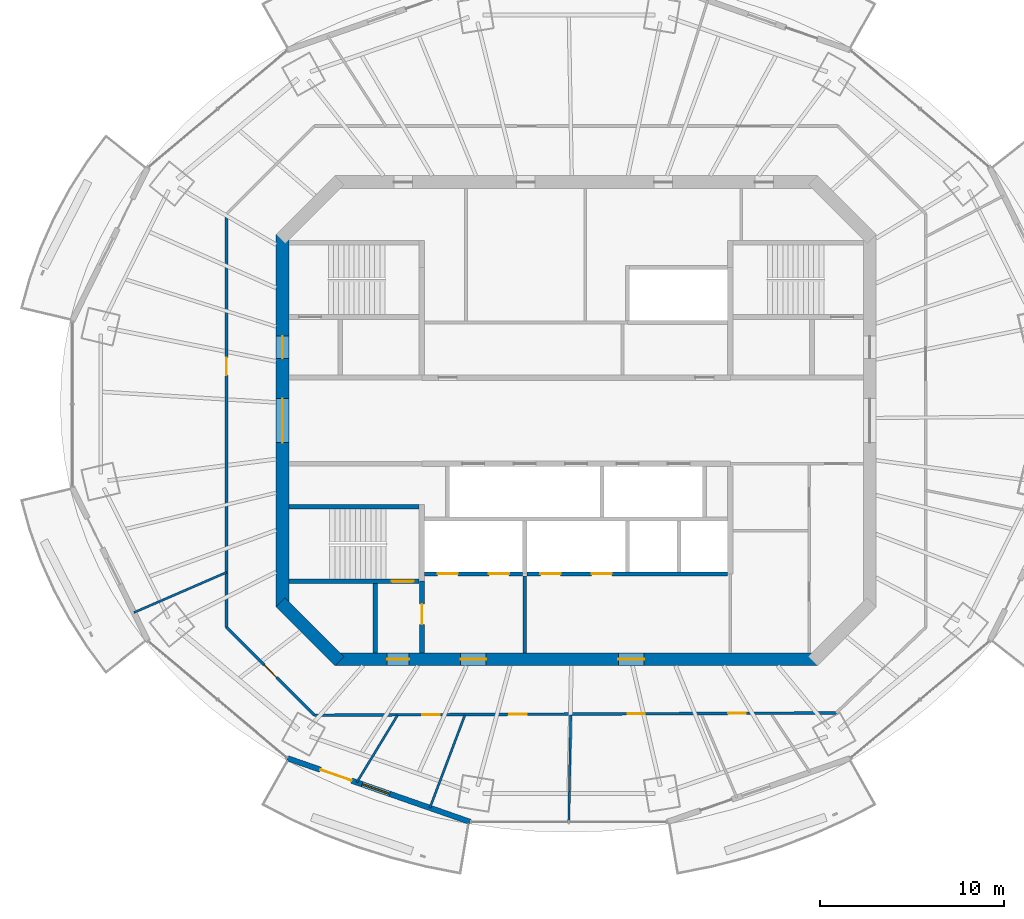
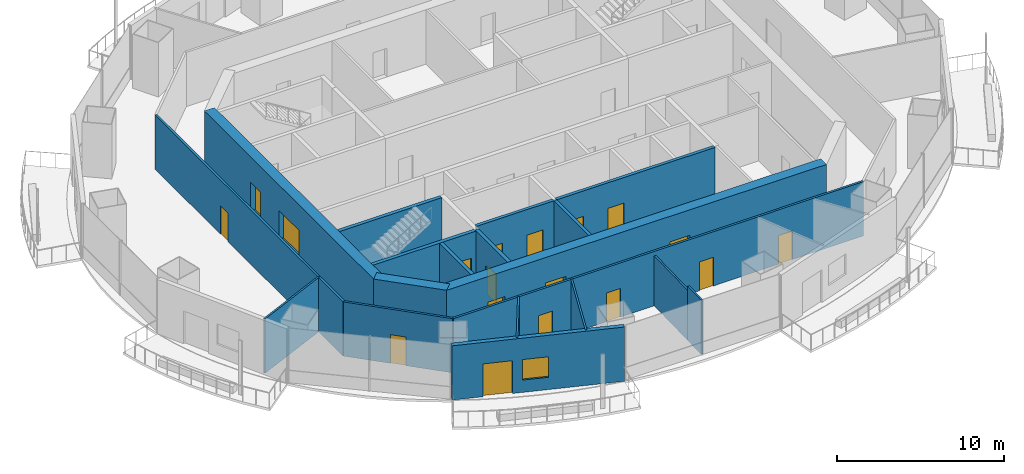
# One storey, part 8 of 16: 19 walls, 18 doors, 1 window, 19 openings.
"""IFC4 building model written with IfcOpenShell, lengths in metres."""

from ifc_helpers import new_model, si_unit, direction, frame, frame_2d, origin, place, context, subcontext, project, spatial, rectangle, extrude, material, layer, layer_set, type_object, element, fill, save


model = new_model("IFC4")

# Units and contexts
model_context = context("Model", 3, precision=1e-05, world=origin(), true_north=direction((0.0, 1.0)))
body_context = subcontext(model_context, "Body", "Model", "MODEL_VIEW")
ifc_project = project(units=[si_unit("LENGTHUNIT", "METRE"), si_unit("AREAUNIT", "SQUARE_METRE"), si_unit("VOLUMEUNIT", "CUBIC_METRE"), si_unit("PLANEANGLEUNIT", "RADIAN"), si_unit("MASSUNIT", "GRAM", prefix="KILO")], contexts=[model_context])

# Site, building, storey
site_placement = place(None, origin())
site = spatial("IfcSite", under=ifc_project, at=site_placement, CompositionType="ELEMENT")
building_placement = place(site_placement, origin())
building = spatial("IfcBuilding", under=site, at=building_placement, Name="Marenthal Gate Tower", CompositionType="ELEMENT")
storey_placement = place(building_placement, frame((0.0, 0.0, 326.0)))
storey = spatial("IfcBuildingStorey", under=building, at=storey_placement, Name="L73", CompositionType="ELEMENT", Elevation=326.0)

# Wall, openings, doors
ifc_material_1 = material(Name="Concrete 60 MPa", Category="concrete")
ifc_layer_1 = layer(ifc_material_1, 0.699951171875)
ifc_layer_set_1 = layer_set([ifc_layer_1], Name="Core shear wall 700")
wall_type_1 = type_object("IfcWallType", Name="Core shear wall 700", PredefinedType="SHEAR", material=ifc_layer_set_1)
wall_1_placement = place(storey_placement, frame((-16.0, 10.14501953125, -0.179931640625), z_axis=(0.0, 0.0, 1.0), x_axis=(0.0, -1.0, 0.0)))
wall_1 = element("IfcWall", 1, at=wall_1_placement, inside=storey, type_object=wall_type_1, Name="Core wall 06", PredefinedType="SHEAR", context=body_context, shape_type="SweptSolid", body=[
    extrude(rectangle(XDim=20.2900390625, YDim=0.699951171875, at=frame_2d((10.14501953125, 0.0))), origin(), (0.0, 0.0, 1.0), 4.14990234375),
])
opening_1_placement = place(wall_1_placement, frame((8.945068359375, 0.0, 0.179931640625)))
opening_1 = element("IfcOpeningElement", 2, at=opening_1_placement, cuts=wall_1, Name="Opening D003.01", PredefinedType="OPENING", context=body_context, shape_type="SweptSolid", body=[
    extrude(rectangle(XDim=2.39990234375, YDim=2.10009765625, at=frame_2d((1.199951171875, 1.050048828125))), frame((0.0, 0.35986328125, 0.0), z_axis=(0.0, -1.0, 0.0), x_axis=(1.0, 0.0, 0.0)), (0.0, 0.0, 1.0), 0.719970703125),
])
opening_2_placement = place(wall_1_placement, frame((5.544921875, 0.0, 0.179931640625)))
opening_2 = element("IfcOpeningElement", 3, at=opening_2_placement, cuts=wall_1, Name="Opening D001.04", PredefinedType="OPENING", context=body_context, shape_type="SweptSolid", body=[
    extrude(rectangle(XDim=1.199951171875, YDim=2.10009765625, at=frame_2d((0.60009765625, 1.050048828125))), frame((0.0, 0.35986328125, 0.0), z_axis=(0.0, -1.0, 0.0), x_axis=(1.0, 0.0, 0.0)), (0.0, 0.0, 1.0), 0.719970703125),
])
ifc_material_2 = material(Name="Steel fire door", Category="steel")
door_type_1 = type_object("IfcDoorType", Name="Double fire door FD 45 2400 x 2100", OperationType="DOUBLE_DOOR_SINGLE_SWING", PredefinedType="DOOR", material=ifc_material_2)
door_1_placement = place(opening_1_placement, origin())
door_1 = element("IfcDoor", 4, at=door_1_placement, inside=storey, type_object=door_type_1, Name="Door D003.01", OperationType="DOUBLE_DOOR_SINGLE_SWING", OverallHeight=2.10009765625, OverallWidth=2.39990234375, PredefinedType="DOOR", context=body_context, shape_type="SweptSolid", body=[
    extrude(rectangle(XDim=2.39990234375, YDim=2.10009765625, at=frame_2d((1.199951171875, 1.050048828125))), frame((0.0, 0.02490234375, 0.0), z_axis=(0.0, -1.0, 0.0), x_axis=(1.0, 0.0, 0.0)), (0.0, 0.0, 1.0), 0.050048828125),
])
fill(opening_1, door_1)
ifc_material_3 = material(Name="Steel fire door", Category="steel")
door_type_2 = type_object("IfcDoorType", Name="Fire door FD 90 1200 x 2100", OperationType="NOTDEFINED", PredefinedType="DOOR", material=ifc_material_3)
door_2_placement = place(opening_2_placement, origin())
door_2 = element("IfcDoor", 5, at=door_2_placement, inside=storey, type_object=door_type_2, Name="Door D001.04", OperationType="SINGLE_SWING_RIGHT", OverallHeight=2.10009765625, OverallWidth=1.199951171875, PredefinedType="DOOR", context=body_context, shape_type="SweptSolid", body=[
    extrude(rectangle(XDim=1.199951171875, YDim=2.10009765625, at=frame_2d((0.60009765625, 1.050048828125))), frame((0.0, 0.02490234375, 0.0), z_axis=(0.0, -1.0, 0.0), x_axis=(1.0, 0.0, 0.0)), (0.0, 0.0, 1.0), 0.050048828125),
])
fill(opening_2, door_2)

# Wall
wall_2_placement = place(storey_placement, frame((-16.1025390625, -9.8974609375, -0.179931640625), z_axis=(0.0, 0.0, 1.0), x_axis=(0.707106781187, -0.707106781187, 0.0)))
element("IfcWall", 6, at=wall_2_placement, inside=storey, type_object=wall_type_1, Name="Core wall 07", PredefinedType="SHEAR", context=body_context, shape_type="SweptSolid", body=[
    extrude(rectangle(XDim=4.53271484375, YDim=0.699951171875, at=frame_2d((2.266357421875, 0.0))), origin(), (0.0, 0.0, 1.0), 4.14990234375),
])

# Wall, openings, doors
wall_3_placement = place(storey_placement, frame((-13.14501953125, -13.0, -0.179931640625), z_axis=(0.0, 0.0, 1.0), x_axis=(1.0, 0.0, 0.0)))
wall_3 = element("IfcWall", 7, at=wall_3_placement, inside=storey, type_object=wall_type_1, Name="Core wall 08", PredefinedType="SHEAR", context=body_context, shape_type="SweptSolid", body=[
    extrude(rectangle(XDim=26.2900390625, YDim=0.699951171875, at=frame_2d((13.14501953125, 0.0))), origin(), (0.0, 0.0, 1.0), 4.14990234375),
])
opening_3_placement = place(wall_3_placement, frame((2.844970703125, 0.0, 0.179931640625)))
opening_3 = element("IfcOpeningElement", 8, at=opening_3_placement, cuts=wall_3, Name="Opening D001.06", PredefinedType="OPENING", context=body_context, shape_type="SweptSolid", body=[
    extrude(rectangle(XDim=1.199951171875, YDim=2.10009765625, at=frame_2d((0.60009765625, 1.050048828125))), frame((0.0, 0.35986328125, 0.0), z_axis=(0.0, -1.0, 0.0), x_axis=(1.0, 0.0, 0.0)), (0.0, 0.0, 1.0), 0.719970703125),
])
opening_4_placement = place(wall_3_placement, frame((6.844970703125, 0.0, 0.179931640625)))
opening_4 = element("IfcOpeningElement", 9, at=opening_4_placement, cuts=wall_3, Name="Opening D004.01", PredefinedType="OPENING", context=body_context, shape_type="SweptSolid", body=[
    extrude(rectangle(XDim=1.39990234375, YDim=2.10009765625, at=frame_2d((0.699951171875, 1.050048828125))), frame((0.0, 0.35986328125, 0.0), z_axis=(0.0, -1.0, 0.0), x_axis=(1.0, 0.0, 0.0)), (0.0, 0.0, 1.0), 0.719970703125),
])
opening_5_placement = place(wall_3_placement, frame((15.445068359375, 0.0, 0.179931640625)))
opening_5 = element("IfcOpeningElement", 10, at=opening_5_placement, cuts=wall_3, Name="Opening D004.02", PredefinedType="OPENING", context=body_context, shape_type="SweptSolid", body=[
    extrude(rectangle(XDim=1.39990234375, YDim=2.10009765625, at=frame_2d((0.699951171875, 1.050048828125))), frame((0.0, 0.35986328125, 0.0), z_axis=(0.0, -1.0, 0.0), x_axis=(1.0, 0.0, 0.0)), (0.0, 0.0, 1.0), 0.719970703125),
])
ifc_material_4 = material(Name="Steel fire door", Category="steel")
door_type_3 = type_object("IfcDoorType", Name="Fire door FD 45 1400 x 2100", OperationType="NOTDEFINED", PredefinedType="DOOR", material=ifc_material_4)
door_3_placement = place(opening_4_placement, origin())
door_3 = element("IfcDoor", 11, at=door_3_placement, inside=storey, type_object=door_type_3, Name="Door D004.01", OperationType="SINGLE_SWING_RIGHT", OverallHeight=2.10009765625, OverallWidth=1.39990234375, PredefinedType="DOOR", context=body_context, shape_type="SweptSolid", body=[
    extrude(rectangle(XDim=1.39990234375, YDim=2.10009765625, at=frame_2d((0.699951171875, 1.050048828125))), frame((0.0, 0.02490234375, 0.0), z_axis=(0.0, -1.0, 0.0), x_axis=(1.0, 0.0, 0.0)), (0.0, 0.0, 1.0), 0.050048828125),
])
fill(opening_4, door_3)
door_4_placement = place(opening_5_placement, origin())
door_4 = element("IfcDoor", 12, at=door_4_placement, inside=storey, type_object=door_type_3, Name="Door D004.02", OperationType="SINGLE_SWING_RIGHT", OverallHeight=2.10009765625, OverallWidth=1.39990234375, PredefinedType="DOOR", context=body_context, shape_type="SweptSolid", body=[
    extrude(rectangle(XDim=1.39990234375, YDim=2.10009765625, at=frame_2d((0.699951171875, 1.050048828125))), frame((0.0, 0.02490234375, 0.0), z_axis=(0.0, -1.0, 0.0), x_axis=(1.0, 0.0, 0.0)), (0.0, 0.0, 1.0), 0.050048828125),
])
fill(opening_5, door_4)
door_5_placement = place(opening_3_placement, origin())
door_5 = element("IfcDoor", 13, at=door_5_placement, inside=storey, type_object=door_type_2, Name="Door D001.06", OperationType="SINGLE_SWING_RIGHT", OverallHeight=2.10009765625, OverallWidth=1.199951171875, PredefinedType="DOOR", context=body_context, shape_type="SweptSolid", body=[
    extrude(rectangle(XDim=1.199951171875, YDim=2.10009765625, at=frame_2d((0.60009765625, 1.050048828125))), frame((0.0, 0.02490234375, 0.0), z_axis=(0.0, -1.0, 0.0), x_axis=(1.0, 0.0, 0.0)), (0.0, 0.0, 1.0), 0.050048828125),
])
fill(opening_3, door_5)

# Wall
ifc_material_5 = material(Name="Gypsum board on steel studs", Category="steel")
ifc_layer_2 = layer(ifc_material_5, 0.199951171875)
ifc_layer_set_2 = layer_set([ifc_layer_2], Name="Fire lobby wall 200")
wall_type_2 = type_object("IfcWallType", Name="Fire lobby wall 200", PredefinedType="PARTITIONING", material=ifc_layer_set_2)
wall_4_placement = place(storey_placement, frame((-2.800048828125, -12.64990234375, 0.0), z_axis=(0.0, 0.0, 1.0), x_axis=(0.0, 1.0, 0.0)))
element("IfcWall", 14, at=wall_4_placement, inside=storey, type_object=wall_type_2, Name="Fire wall 36", PredefinedType="PARTITIONING", context=body_context, shape_type="SweptSolid", body=[
    extrude(rectangle(XDim=4.18994140625, YDim=0.199951171875, at=frame_2d((2.094970703125, 0.0))), origin(), (0.0, 0.0, 1.0), 3.969970703125),
])

# Wall, openings, doors
ifc_material_6 = material(Name="Concrete 40 MPa", Category="concrete")
ifc_layer_3 = layer(ifc_material_6, 0.219970703125)
ifc_layer_set_3 = layer_set([ifc_layer_3], Name="Hoistway wall 220")
wall_type_3 = type_object("IfcWallType", Name="Hoistway wall 220", PredefinedType="STANDARD", material=ifc_layer_set_3)
wall_5_placement = place(storey_placement, frame((-8.25, -8.35009765625, 0.0), z_axis=(0.0, 0.0, 1.0), x_axis=(1.0, 0.0, 0.0)))
wall_5 = element("IfcWall", 15, at=wall_5_placement, inside=storey, type_object=wall_type_3, Name="Hoistway wall 10", PredefinedType="STANDARD", context=body_context, shape_type="SweptSolid", body=[
    extrude(rectangle(XDim=5.340087890625, YDim=0.219970703125, at=frame_2d((2.669921875, 0.0))), origin(), (0.0, 0.0, 1.0), 3.969970703125),
])
opening_6_placement = place(wall_5_placement, frame((0.699951171875, 0.0, 0.0)))
opening_6 = element("IfcOpeningElement", 16, at=opening_6_placement, cuts=wall_5, Name="Opening LD-LF1", PredefinedType="OPENING", context=body_context, shape_type="SweptSolid", body=[
    extrude(rectangle(XDim=1.10009765625, YDim=2.10009765625, at=frame_2d((0.550048828125, 1.050048828125))), frame((0.0, 0.1201171875, 0.0), z_axis=(0.0, -1.0, 0.0), x_axis=(1.0, 0.0, 0.0)), (0.0, 0.0, 1.0), 0.239990234375),
])
opening_7_placement = place(wall_5_placement, frame((3.5, 0.0, 0.0)))
opening_7 = element("IfcOpeningElement", 17, at=opening_7_placement, cuts=wall_5, Name="Opening LD-LF2", PredefinedType="OPENING", context=body_context, shape_type="SweptSolid", body=[
    extrude(rectangle(XDim=1.10009765625, YDim=2.10009765625, at=frame_2d((0.550048828125, 1.050048828125))), frame((0.0, 0.1201171875, 0.0), z_axis=(0.0, -1.0, 0.0), x_axis=(1.0, 0.0, 0.0)), (0.0, 0.0, 1.0), 0.239990234375),
])
ifc_material_7 = material(Name="Stainless steel sliding door", Category="steel")
door_type_4 = type_object("IfcDoorType", Name="Lift landing door FD 90 1100 x 2100", OperationType="DOUBLE_DOOR_SLIDING", PredefinedType="DOOR", material=ifc_material_7)
door_6_placement = place(opening_6_placement, origin())
door_6 = element("IfcDoor", 18, at=door_6_placement, inside=storey, type_object=door_type_4, Name="Lift landing door LF1", OperationType="DOUBLE_DOOR_SLIDING", OverallHeight=2.10009765625, OverallWidth=1.10009765625, PredefinedType="DOOR", context=body_context, shape_type="SweptSolid", body=[
    extrude(rectangle(XDim=1.10009765625, YDim=2.10009765625, at=frame_2d((0.550048828125, 1.050048828125))), frame((0.0, 0.02490234375, 0.0), z_axis=(0.0, -1.0, 0.0), x_axis=(1.0, 0.0, 0.0)), (0.0, 0.0, 1.0), 0.050048828125),
])
fill(opening_6, door_6)
door_7_placement = place(opening_7_placement, origin())
door_7 = element("IfcDoor", 19, at=door_7_placement, inside=storey, type_object=door_type_4, Name="Lift landing door LF2", OperationType="DOUBLE_DOOR_SLIDING", OverallHeight=2.10009765625, OverallWidth=1.10009765625, PredefinedType="DOOR", context=body_context, shape_type="SweptSolid", body=[
    extrude(rectangle(XDim=1.10009765625, YDim=2.10009765625, at=frame_2d((0.550048828125, 1.050048828125))), frame((0.0, 0.02490234375, 0.0), z_axis=(0.0, -1.0, 0.0), x_axis=(1.0, 0.0, 0.0)), (0.0, 0.0, 1.0), 0.050048828125),
])
fill(opening_7, door_7)

wall_6_placement = place(storey_placement, frame((-2.68994140625, -8.35009765625, 0.0), z_axis=(0.0, 0.0, 1.0), x_axis=(1.0, 0.0, 0.0)))
wall_6 = element("IfcWall", 20, at=wall_6_placement, inside=storey, type_object=wall_type_3, Name="Hoistway wall 11", PredefinedType="STANDARD", context=body_context, shape_type="SweptSolid", body=[
    extrude(rectangle(XDim=10.93994140625, YDim=0.219970703125, at=frame_2d((5.469970703125, 0.0))), origin(), (0.0, 0.0, 1.0), 3.969970703125),
])
opening_8_placement = place(wall_6_placement, frame((0.739990234375, 0.0, 0.0)))
opening_8 = element("IfcOpeningElement", 21, at=opening_8_placement, cuts=wall_6, Name="Opening LD-SV1", PredefinedType="OPENING", context=body_context, shape_type="SweptSolid", body=[
    extrude(rectangle(XDim=1.10009765625, YDim=2.10009765625, at=frame_2d((0.550048828125, 1.050048828125))), frame((0.0, 0.1201171875, 0.0), z_axis=(0.0, -1.0, 0.0), x_axis=(1.0, 0.0, 0.0)), (0.0, 0.0, 1.0), 0.239990234375),
])
opening_9_placement = place(wall_6_placement, frame((3.5400390625, 0.0, 0.0)))
opening_9 = element("IfcOpeningElement", 22, at=opening_9_placement, cuts=wall_6, Name="Opening LD-SV2", PredefinedType="OPENING", context=body_context, shape_type="SweptSolid", body=[
    extrude(rectangle(XDim=1.10009765625, YDim=2.10009765625, at=frame_2d((0.550048828125, 1.050048828125))), frame((0.0, 0.1201171875, 0.0), z_axis=(0.0, -1.0, 0.0), x_axis=(1.0, 0.0, 0.0)), (0.0, 0.0, 1.0), 0.239990234375),
])
door_8_placement = place(opening_8_placement, origin())
door_8 = element("IfcDoor", 23, at=door_8_placement, inside=storey, type_object=door_type_4, Name="Lift landing door SV1", OperationType="DOUBLE_DOOR_SLIDING", OverallHeight=2.10009765625, OverallWidth=1.10009765625, PredefinedType="DOOR", context=body_context, shape_type="SweptSolid", body=[
    extrude(rectangle(XDim=1.10009765625, YDim=2.10009765625, at=frame_2d((0.550048828125, 1.050048828125))), frame((0.0, 0.02490234375, 0.0), z_axis=(0.0, -1.0, 0.0), x_axis=(1.0, 0.0, 0.0)), (0.0, 0.0, 1.0), 0.050048828125),
])
fill(opening_8, door_8)
door_9_placement = place(opening_9_placement, origin())
door_9 = element("IfcDoor", 24, at=door_9_placement, inside=storey, type_object=door_type_4, Name="Lift landing door SV2", OperationType="DOUBLE_DOOR_SLIDING", OverallHeight=2.10009765625, OverallWidth=1.10009765625, PredefinedType="DOOR", context=body_context, shape_type="SweptSolid", body=[
    extrude(rectangle(XDim=1.10009765625, YDim=2.10009765625, at=frame_2d((0.550048828125, 1.050048828125))), frame((0.0, 0.02490234375, 0.0), z_axis=(0.0, -1.0, 0.0), x_axis=(1.0, 0.0, 0.0)), (0.0, 0.0, 1.0), 0.050048828125),
])
fill(opening_9, door_9)

# Walls
ifc_material_8 = material(Name="Gypsum board on steel studs", Category="steel")
ifc_layer_4 = layer(ifc_material_8, 0.1201171875)
ifc_layer_set_4 = layer_set([ifc_layer_4], Name="Partition 120")
wall_type_4 = type_object("IfcWallType", Name="Partition 120", PredefinedType="PARTITIONING", material=ifc_layer_set_4)
wall_7_placement = place(storey_placement, frame((-19.050048828125, -8.26611328125, 0.0), z_axis=(0.0, 0.0, 1.0), x_axis=(-0.917352652967, -0.398075508031, 0.0)))
element("IfcWall", 25, at=wall_7_placement, inside=storey, type_object=wall_type_4, Name="Partition wall 53", PredefinedType="PARTITIONING", context=body_context, shape_type="SweptSolid", body=[
    extrude(rectangle(XDim=5.503173828125, YDim=0.1201171875, at=frame_2d((2.75146484375, 0.0))), origin(), (0.0, 0.0, 1.0), 3.969970703125),
])
wall_8_placement = place(storey_placement, frame((-9.731689453125, -16.050048828125, 0.0), z_axis=(0.0, 0.0, 1.0), x_axis=(-0.518455854968, -0.855104395059, 0.0)))
element("IfcWall", 26, at=wall_8_placement, inside=storey, type_object=wall_type_4, Name="Partition wall 58", PredefinedType="PARTITIONING", context=body_context, shape_type="SweptSolid", body=[
    extrude(rectangle(XDim=4.282470703125, YDim=0.1201171875, at=frame_2d((2.14111328125, 0.0))), origin(), (0.0, 0.0, 1.0), 3.969970703125),
])
wall_9_placement = place(storey_placement, frame((-6.06298828125, -16.050048828125, 0.0), z_axis=(0.0, 0.0, 1.0), x_axis=(-0.353368021135, -0.935484388774, 0.0)))
element("IfcWall", 27, at=wall_9_placement, inside=storey, type_object=wall_type_4, Name="Partition wall 59", PredefinedType="PARTITIONING", context=body_context, shape_type="SweptSolid", body=[
    extrude(rectangle(XDim=5.397216796875, YDim=0.1201171875, at=frame_2d((2.69873046875, 0.0))), origin(), (0.0, 0.0, 1.0), 3.969970703125),
])
wall_10_placement = place(storey_placement, frame((-0.293701171875, -16.050048828125, 0.0), z_axis=(0.0, 0.0, 1.0), x_axis=(-0.018266352088, -0.999833156272, 0.0)))
element("IfcWall", 28, at=wall_10_placement, inside=storey, type_object=wall_type_4, Name="Partition wall 60", PredefinedType="PARTITIONING", context=body_context, shape_type="SweptSolid", body=[
    extrude(rectangle(XDim=4.15673828125, YDim=0.1201171875, at=frame_2d((2.078369140625, 0.0))), origin(), (0.0, 0.0, 1.0), 3.659912109375),
])
wall_11_placement = place(storey_placement, frame((-0.36962890625, -20.2060546875, 0.0), z_axis=(0.0, 0.0, 1.0), x_axis=(-0.018288724099, -0.999832747299, 0.0)))
element("IfcWall", 29, at=wall_11_placement, inside=storey, type_object=wall_type_4, Name="Partition wall 70", PredefinedType="PARTITIONING", context=body_context, shape_type="SweptSolid", body=[
    extrude(rectangle(XDim=1.6552734375, YDim=0.1201171875, at=frame_2d((0.82763671875, 0.0))), origin(), (0.0, 0.0, 1.0), 3.969970703125),
])

# Wall, opening, door
ifc_material_9 = material(Name="Gypsum board on steel studs", Category="steel")
ifc_layer_5 = layer(ifc_material_9, 0.14990234375)
ifc_layer_set_5 = layer_set([ifc_layer_5], Name="Partition 150")
wall_type_5 = type_object("IfcWallType", Name="Partition 150", PredefinedType="PARTITIONING", material=ifc_layer_set_5)
wall_12_placement = place(storey_placement, frame((-19.050048828125, -11.263427734375, 0.0), z_axis=(0.0, 0.0, 1.0), x_axis=(0.0, 1.0, 0.0)))
wall_12 = element("IfcWall", 30, at=wall_12_placement, inside=storey, type_object=wall_type_5, Name="Partition wall 52", PredefinedType="PARTITIONING", context=body_context, shape_type="SweptSolid", body=[
    extrude(rectangle(XDim=22.52685546875, YDim=0.14990234375, at=frame_2d((11.263427734375, 0.0))), origin(), (0.0, 0.0, 1.0), 3.969970703125),
])
opening_10_placement = place(wall_12_placement, frame((13.7451171875, 0.0, 0.0)))
opening_10 = element("IfcOpeningElement", 31, at=opening_10_placement, cuts=wall_12, Name="Opening D016.02", PredefinedType="OPENING", context=body_context, shape_type="SweptSolid", body=[
    extrude(rectangle(XDim=0.949951171875, YDim=2.10009765625, at=frame_2d((0.47509765625, 1.050048828125))), frame((0.0, 0.0849609375, 0.0), z_axis=(0.0, -1.0, 0.0), x_axis=(1.0, 0.0, 0.0)), (0.0, 0.0, 1.0), 0.169921875),
])
ifc_material_10 = material(Name="Timber door", Category="wood")
door_type_5 = type_object("IfcDoorType", Name="Door 950 x 2100", OperationType="NOTDEFINED", PredefinedType="DOOR", material=ifc_material_10)
door_10_placement = place(opening_10_placement, frame((0.949951171875, 0.0, 0.0), z_axis=(0.0, 0.0, 1.0), x_axis=(-1.0, 0.0, 0.0)))
door_10 = element("IfcDoor", 32, at=door_10_placement, inside=storey, type_object=door_type_5, Name="Door D016.02", OperationType="SINGLE_SWING_LEFT", OverallHeight=2.10009765625, OverallWidth=0.949951171875, PredefinedType="DOOR", context=body_context, shape_type="SweptSolid", body=[
    extrude(rectangle(XDim=0.949951171875, YDim=2.10009765625, at=frame_2d((0.47509765625, 1.050048828125))), frame((0.0, 0.02490234375, 0.0), z_axis=(0.0, -1.0, 0.0), x_axis=(1.0, 0.0, 0.0)), (0.0, 0.0, 1.0), 0.050048828125),
])
fill(opening_10, door_10)

wall_13_placement = place(storey_placement, frame((-14.263427734375, -16.050048828125, 0.0), z_axis=(0.0, 0.0, 1.0), x_axis=(-0.707106781187, 0.707106781187, 0.0)))
wall_13 = element("IfcWall", 33, at=wall_13_placement, inside=storey, type_object=wall_type_5, Name="Partition wall 55", PredefinedType="PARTITIONING", context=body_context, shape_type="SweptSolid", body=[
    extrude(rectangle(XDim=6.769287109375, YDim=0.14990234375, at=frame_2d((3.384765625, 0.0))), origin(), (0.0, 0.0, 1.0), 3.969970703125),
])
opening_11_placement = place(wall_13_placement, frame((2.909912109375, 0.0, 0.0)))
opening_11 = element("IfcOpeningElement", 34, at=opening_11_placement, cuts=wall_13, Name="Opening D016.03", PredefinedType="OPENING", context=body_context, shape_type="SweptSolid", body=[
    extrude(rectangle(XDim=0.949951171875, YDim=2.10009765625, at=frame_2d((0.47509765625, 1.050048828125))), frame((0.0, 0.0849609375, 0.0), z_axis=(0.0, -1.0, 0.0), x_axis=(1.0, 0.0, 0.0)), (0.0, 0.0, 1.0), 0.169921875),
])
door_11_placement = place(opening_11_placement, origin())
door_11 = element("IfcDoor", 35, at=door_11_placement, inside=storey, type_object=door_type_5, Name="Door D016.03", OperationType="SINGLE_SWING_RIGHT", OverallHeight=2.10009765625, OverallWidth=0.949951171875, PredefinedType="DOOR", context=body_context, shape_type="SweptSolid", body=[
    extrude(rectangle(XDim=0.949951171875, YDim=2.10009765625, at=frame_2d((0.47509765625, 1.050048828125))), frame((0.0, 0.02490234375, 0.0), z_axis=(0.0, -1.0, 0.0), x_axis=(1.0, 0.0, 0.0)), (0.0, 0.0, 1.0), 0.050048828125),
])
fill(opening_11, door_11)

# Wall, openings, doors
wall_14_placement = place(storey_placement, frame((14.176025390625, -15.92626953125, 0.0), z_axis=(0.0, 0.0, 1.0), x_axis=(-0.99999052853, -0.004352338421, 0.0)))
wall_14 = element("IfcWall", 36, at=wall_14_placement, inside=storey, type_object=wall_type_5, Name="Partition wall 64", PredefinedType="PARTITIONING", context=body_context, shape_type="SweptSolid", body=[
    extrude(rectangle(XDim=28.439697265625, YDim=0.14990234375, at=frame_2d((14.2197265625, 0.0))), origin(), (0.0, 0.0, 1.0), 3.969970703125),
])
opening_12_placement = place(wall_14_placement, frame((21.59912109375, 0.0, 0.0)))
opening_12 = element("IfcOpeningElement", 37, at=opening_12_placement, cuts=wall_14, Name="Opening D016.04", PredefinedType="OPENING", context=body_context, shape_type="SweptSolid", body=[
    extrude(rectangle(XDim=0.949951171875, YDim=2.10009765625, at=frame_2d((0.47509765625, 1.050048828125))), frame((0.0, 0.0849609375, 0.0), z_axis=(0.0, -1.0, 0.0), x_axis=(1.0, 0.0, 0.0)), (0.0, 0.0, 1.0), 0.169921875),
])
opening_13_placement = place(wall_14_placement, frame((16.8798828125, 0.0, 0.0)))
opening_13 = element("IfcOpeningElement", 38, at=opening_13_placement, cuts=wall_14, Name="Opening D016.05", PredefinedType="OPENING", context=body_context, shape_type="SweptSolid", body=[
    extrude(rectangle(XDim=0.949951171875, YDim=2.10009765625, at=frame_2d((0.47509765625, 1.050048828125))), frame((0.0, 0.0849609375, 0.0), z_axis=(0.0, -1.0, 0.0), x_axis=(1.0, 0.0, 0.0)), (0.0, 0.0, 1.0), 0.169921875),
])
opening_14_placement = place(wall_14_placement, frame((10.427001953125, 0.0, 0.0)))
opening_14 = element("IfcOpeningElement", 39, at=opening_14_placement, cuts=wall_14, Name="Opening D016.06", PredefinedType="OPENING", context=body_context, shape_type="SweptSolid", body=[
    extrude(rectangle(XDim=0.949951171875, YDim=2.10009765625, at=frame_2d((0.47509765625, 1.050048828125))), frame((0.0, 0.0849609375, 0.0), z_axis=(0.0, -1.0, 0.0), x_axis=(1.0, 0.0, 0.0)), (0.0, 0.0, 1.0), 0.169921875),
])
opening_15_placement = place(wall_14_placement, frame((4.94189453125, 0.0, 0.0)))
opening_15 = element("IfcOpeningElement", 40, at=opening_15_placement, cuts=wall_14, Name="Opening D016.07", PredefinedType="OPENING", context=body_context, shape_type="SweptSolid", body=[
    extrude(rectangle(XDim=0.949951171875, YDim=2.10009765625, at=frame_2d((0.47509765625, 1.050048828125))), frame((0.0, 0.0849609375, 0.0), z_axis=(0.0, -1.0, 0.0), x_axis=(1.0, 0.0, 0.0)), (0.0, 0.0, 1.0), 0.169921875),
])
door_12_placement = place(opening_12_placement, origin())
door_12 = element("IfcDoor", 41, at=door_12_placement, inside=storey, type_object=door_type_5, Name="Door D016.04", OperationType="SINGLE_SWING_RIGHT", OverallHeight=2.10009765625, OverallWidth=0.949951171875, PredefinedType="DOOR", context=body_context, shape_type="SweptSolid", body=[
    extrude(rectangle(XDim=0.949951171875, YDim=2.10009765625, at=frame_2d((0.47509765625, 1.050048828125))), frame((0.0, 0.02490234375, 0.0), z_axis=(0.0, -1.0, 0.0), x_axis=(1.0, 0.0, 0.0)), (0.0, 0.0, 1.0), 0.050048828125),
])
fill(opening_12, door_12)
door_13_placement = place(opening_13_placement, origin())
door_13 = element("IfcDoor", 42, at=door_13_placement, inside=storey, type_object=door_type_5, Name="Door D016.05", OperationType="SINGLE_SWING_RIGHT", OverallHeight=2.10009765625, OverallWidth=0.949951171875, PredefinedType="DOOR", context=body_context, shape_type="SweptSolid", body=[
    extrude(rectangle(XDim=0.949951171875, YDim=2.10009765625, at=frame_2d((0.47509765625, 1.050048828125))), frame((0.0, 0.02490234375, 0.0), z_axis=(0.0, -1.0, 0.0), x_axis=(1.0, 0.0, 0.0)), (0.0, 0.0, 1.0), 0.050048828125),
])
fill(opening_13, door_13)
door_14_placement = place(opening_14_placement, origin())
door_14 = element("IfcDoor", 43, at=door_14_placement, inside=storey, type_object=door_type_5, Name="Door D016.06", OperationType="SINGLE_SWING_RIGHT", OverallHeight=2.10009765625, OverallWidth=0.949951171875, PredefinedType="DOOR", context=body_context, shape_type="SweptSolid", body=[
    extrude(rectangle(XDim=0.949951171875, YDim=2.10009765625, at=frame_2d((0.47509765625, 1.050048828125))), frame((0.0, 0.02490234375, 0.0), z_axis=(0.0, -1.0, 0.0), x_axis=(1.0, 0.0, 0.0)), (0.0, 0.0, 1.0), 0.050048828125),
])
fill(opening_14, door_14)
door_15_placement = place(opening_15_placement, origin())
door_15 = element("IfcDoor", 44, at=door_15_placement, inside=storey, type_object=door_type_5, Name="Door D016.07", OperationType="SINGLE_SWING_RIGHT", OverallHeight=2.10009765625, OverallWidth=0.949951171875, PredefinedType="DOOR", context=body_context, shape_type="SweptSolid", body=[
    extrude(rectangle(XDim=0.949951171875, YDim=2.10009765625, at=frame_2d((0.47509765625, 1.050048828125))), frame((0.0, 0.02490234375, 0.0), z_axis=(0.0, -1.0, 0.0), x_axis=(1.0, 0.0, 0.0)), (0.0, 0.0, 1.0), 0.050048828125),
])
fill(opening_15, door_15)

# Wall
ifc_material_11 = material(Name="Concrete 40 MPa", Category="concrete")
ifc_layer_6 = layer(ifc_material_11, 0.25)
ifc_layer_set_6 = layer_set([ifc_layer_6], Name="Stair enclosure wall 250")
wall_type_6 = type_object("IfcWallType", Name="Stair enclosure wall 250", PredefinedType="STANDARD", material=ifc_layer_set_6)
wall_15_placement = place(storey_placement, frame((-10.949951171875, -12.64990234375, 0.0), z_axis=(0.0, 0.0, 1.0), x_axis=(0.0, 1.0, 0.0)))
element("IfcWall", 45, at=wall_15_placement, inside=storey, type_object=wall_type_6, Name="Stair wall 29", PredefinedType="STANDARD", context=body_context, shape_type="SweptSolid", body=[
    extrude(rectangle(XDim=3.77490234375, YDim=0.25, at=frame_2d((1.887451171875, 0.0))), origin(), (0.0, 0.0, 1.0), 3.969970703125),
])

# Wall, opening, door
wall_16_placement = place(storey_placement, frame((-8.39990234375, -12.64990234375, 0.0), z_axis=(0.0, 0.0, 1.0), x_axis=(0.0, 1.0, 0.0)))
wall_16 = element("IfcWall", 46, at=wall_16_placement, inside=storey, type_object=wall_type_6, Name="Stair wall 30", PredefinedType="STANDARD", context=body_context, shape_type="SweptSolid", body=[
    extrude(rectangle(XDim=3.89990234375, YDim=0.25, at=frame_2d((1.949951171875, 0.0))), origin(), (0.0, 0.0, 1.0), 3.969970703125),
])
opening_16_placement = place(wall_16_placement, frame((1.550048828125, 0.0, 0.0)))
opening_16 = element("IfcOpeningElement", 47, at=opening_16_placement, cuts=wall_16, Name="Opening D002.01", PredefinedType="OPENING", context=body_context, shape_type="SweptSolid", body=[
    extrude(rectangle(XDim=1.10009765625, YDim=2.10009765625, at=frame_2d((0.550048828125, 1.050048828125))), frame((0.0, 0.135009765625, 0.0), z_axis=(0.0, -1.0, 0.0), x_axis=(1.0, 0.0, 0.0)), (0.0, 0.0, 1.0), 0.27001953125),
])
ifc_material_12 = material(Name="Steel fire door", Category="steel")
door_type_6 = type_object("IfcDoorType", Name="Fire door FD 90 1100 x 2100", OperationType="NOTDEFINED", PredefinedType="DOOR", material=ifc_material_12)
door_16_placement = place(opening_16_placement, origin())
door_16 = element("IfcDoor", 48, at=door_16_placement, inside=storey, type_object=door_type_6, Name="Door D002.01", OperationType="SINGLE_SWING_RIGHT", OverallHeight=2.10009765625, OverallWidth=1.10009765625, PredefinedType="DOOR", context=body_context, shape_type="SweptSolid", body=[
    extrude(rectangle(XDim=1.10009765625, YDim=2.10009765625, at=frame_2d((0.550048828125, 1.050048828125))), frame((0.0, 0.02490234375, 0.0), z_axis=(0.0, -1.0, 0.0), x_axis=(1.0, 0.0, 0.0)), (0.0, 0.0, 1.0), 0.050048828125),
])
fill(opening_16, door_16)

ifc_material_13 = material(Name="Concrete 50 MPa", Category="concrete")
ifc_layer_7 = layer(ifc_material_13, 0.25)
ifc_layer_set_7 = layer_set([ifc_layer_7], Name="Stair shear wall 250")
wall_type_7 = type_object("IfcWallType", Name="Stair shear wall 250", PredefinedType="SHEAR", material=ifc_layer_set_7)
wall_17_placement = place(storey_placement, frame((-15.64990234375, -8.75, -0.179931640625), z_axis=(0.0, 0.0, 1.0), x_axis=(1.0, 0.0, 0.0)))
wall_17 = element("IfcWall", 49, at=wall_17_placement, inside=storey, type_object=wall_type_7, Name="Stair wall 09", PredefinedType="SHEAR", context=body_context, shape_type="SweptSolid", body=[
    extrude(rectangle(XDim=7.099853515625, YDim=0.25, at=frame_2d((3.5498046875, 0.0))), origin(), (0.0, 0.0, 1.0), 4.14990234375),
])
opening_17_placement = place(wall_17_placement, frame((5.60009765625, 0.0, 0.179931640625)))
opening_17 = element("IfcOpeningElement", 50, at=opening_17_placement, cuts=wall_17, Name="Opening D001.03", PredefinedType="OPENING", context=body_context, shape_type="SweptSolid", body=[
    extrude(rectangle(XDim=1.199951171875, YDim=2.10009765625, at=frame_2d((0.60009765625, 1.050048828125))), frame((0.0, 0.135009765625, 0.0), z_axis=(0.0, -1.0, 0.0), x_axis=(1.0, 0.0, 0.0)), (0.0, 0.0, 1.0), 0.27001953125),
])
door_17_placement = place(opening_17_placement, origin())
door_17 = element("IfcDoor", 51, at=door_17_placement, inside=storey, type_object=door_type_2, Name="Door D001.03", OperationType="SINGLE_SWING_RIGHT", OverallHeight=2.10009765625, OverallWidth=1.199951171875, PredefinedType="DOOR", context=body_context, shape_type="SweptSolid", body=[
    extrude(rectangle(XDim=1.199951171875, YDim=2.10009765625, at=frame_2d((0.60009765625, 1.050048828125))), frame((0.0, 0.02490234375, 0.0), z_axis=(0.0, -1.0, 0.0), x_axis=(1.0, 0.0, 0.0)), (0.0, 0.0, 1.0), 0.050048828125),
])
fill(opening_17, door_17)

# Wall
wall_18_placement = place(storey_placement, frame((-15.64990234375, -4.699951171875, -0.179931640625), z_axis=(0.0, 0.0, 1.0), x_axis=(1.0, 0.0, 0.0)))
element("IfcWall", 52, at=wall_18_placement, inside=storey, type_object=wall_type_7, Name="Stair wall 14", PredefinedType="SHEAR", context=body_context, shape_type="SweptSolid", body=[
    extrude(rectangle(XDim=7.099853515625, YDim=0.25, at=frame_2d((3.5498046875, 0.0))), origin(), (0.0, 0.0, 1.0), 4.14990234375),
])

# Wall, openings, door, window
ifc_material_14 = material(Name="Terracotta cladding on insulated concrete-block backing", Category="masonry")
ifc_layer_8 = layer(ifc_material_14, 0.300048828125)
ifc_layer_set_8 = layer_set([ifc_layer_8], Name="Terracotta facade wall 300")
wall_type_8 = type_object("IfcWallType", Name="Terracotta facade wall 300", PredefinedType="SOLIDWALL", material=ifc_layer_set_8)
wall_19_placement = place(storey_placement, frame((-15.729248046875, -18.39599609375, 0.0), z_axis=(0.0, 0.0, 1.0), x_axis=(0.944334385595, -0.328987185438, 0.0)))
wall_19 = element("IfcWall", 53, at=wall_19_placement, inside=storey, type_object=wall_type_8, Name="Terracotta facade wall L73 bay 11", PredefinedType="SOLIDWALL", context=body_context, shape_type="SweptSolid", body=[
    extrude(rectangle(XDim=10.532470703125, YDim=0.300048828125, at=frame_2d((5.26611328125, 0.0))), origin(), (0.0, 0.0, 1.0), 3.969970703125),
])
opening_18_placement = place(wall_19_placement, frame((1.89990234375, 0.0, 0.0)))
opening_18 = element("IfcOpeningElement", 54, at=opening_18_placement, cuts=wall_19, Name="Opening BD-L73-11", PredefinedType="OPENING", context=body_context, shape_type="SweptSolid", body=[
    extrude(rectangle(XDim=1.800048828125, YDim=2.39990234375, at=frame_2d((0.89990234375, 1.199951171875))), frame((0.0, 0.16015625, 0.0), z_axis=(0.0, -1.0, 0.0), x_axis=(1.0, 0.0, 0.0)), (0.0, 0.0, 1.0), 0.320068359375),
])
opening_19_placement = place(wall_19_placement, frame((4.300048828125, 0.0, 0.89990234375)))
opening_19 = element("IfcOpeningElement", 55, at=opening_19_placement, cuts=wall_19, Name="Opening WN3-L73-11", PredefinedType="OPENING", context=body_context, shape_type="SweptSolid", body=[
    extrude(rectangle(XDim=1.60009765625, YDim=1.5, at=frame_2d((0.800048828125, 0.75))), frame((0.0, 0.16015625, 0.0), z_axis=(0.0, -1.0, 0.0), x_axis=(1.0, 0.0, 0.0)), (0.0, 0.0, 1.0), 0.320068359375),
])
ifc_material_15 = material(Name="Aluminium and glass", Category="aluminium")
door_type_7 = type_object("IfcDoorType", Name="Balcony door 1800x2400", OperationType="DOUBLE_DOOR_SINGLE_SWING", PredefinedType="DOOR", material=ifc_material_15)
door_18_placement = place(opening_18_placement, origin())
door_18 = element("IfcDoor", 56, at=door_18_placement, inside=storey, type_object=door_type_7, Name="Balcony door L73 bay 11", OperationType="SINGLE_SWING_LEFT", OverallHeight=2.39990234375, OverallWidth=1.800048828125, PredefinedType="DOOR", context=body_context, shape_type="SweptSolid", body=[
    extrude(rectangle(XDim=1.800048828125, YDim=2.39990234375, at=frame_2d((0.89990234375, 1.199951171875))), frame((0.0, 0.02490234375, 0.0), z_axis=(0.0, -1.0, 0.0), x_axis=(1.0, 0.0, 0.0)), (0.0, 0.0, 1.0), 0.050048828125),
])
fill(opening_18, door_18)
ifc_material_16 = material(Name="Aluminium and glass", Category="aluminium")
window_type = type_object("IfcWindowType", Name="Window 1600x1500", PartitioningType="DOUBLE_PANEL_VERTICAL", PredefinedType="WINDOW", material=ifc_material_16)
window_placement = place(opening_19_placement, origin())
window = element("IfcWindow", 57, at=window_placement, inside=storey, type_object=window_type, Name="Window L73 bay 11", OverallHeight=1.5, OverallWidth=1.60009765625, PartitioningType="SINGLE_PANEL", PredefinedType="WINDOW", context=body_context, shape_type="SweptSolid", body=[
    extrude(rectangle(XDim=1.60009765625, YDim=1.5, at=frame_2d((0.800048828125, 0.75))), frame((0.0, 0.030029296875, 0.0), z_axis=(0.0, -1.0, 0.0), x_axis=(1.0, 0.0, 0.0)), (0.0, 0.0, 1.0), 0.06005859375),
])
fill(opening_19, window)

save(model, "model.ifc")
